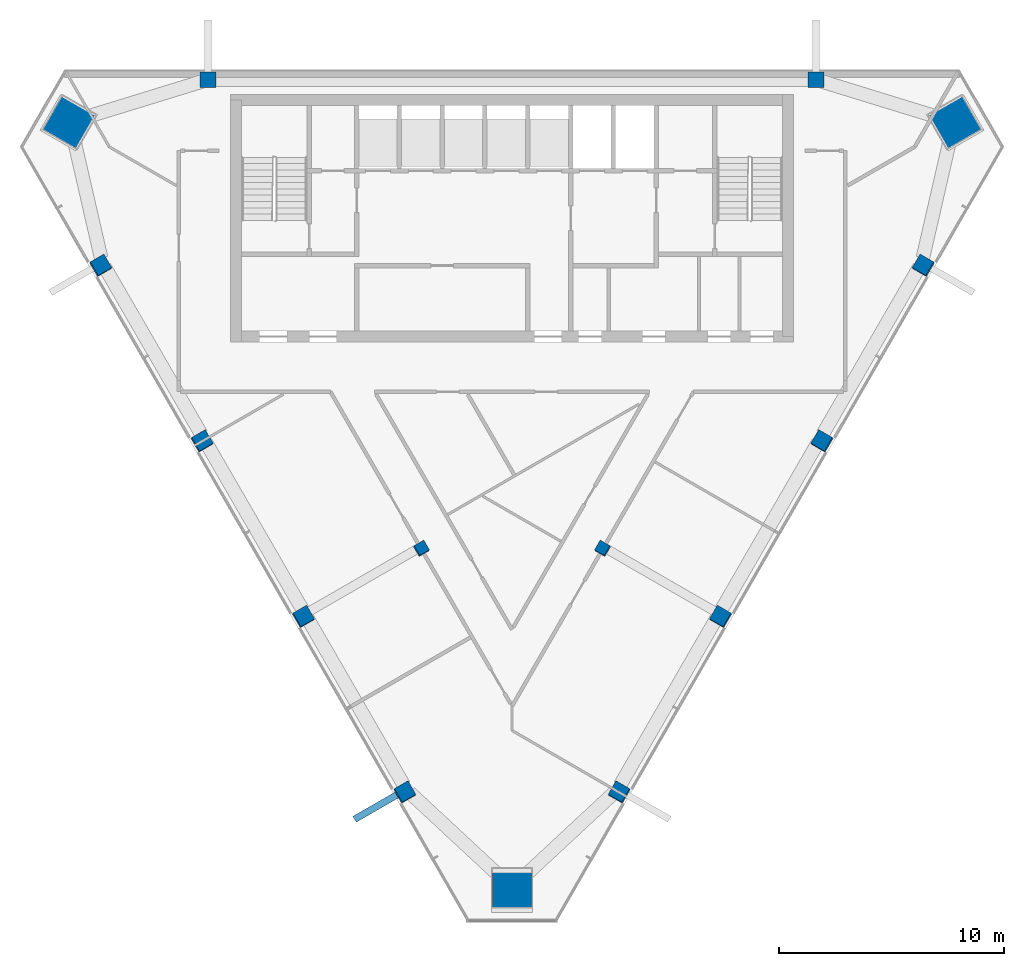
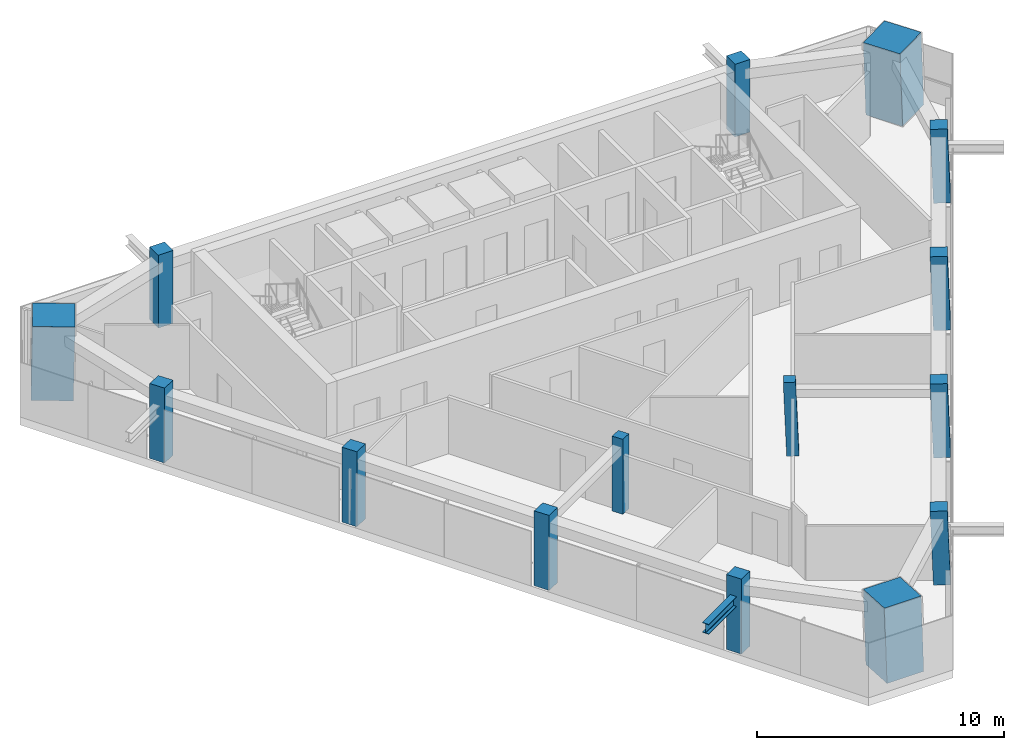
# One storey, part 1 of 9: 15 columns, 1 member.
"""IFC4 building model written with IfcOpenShell, lengths in metres."""

from ifc_helpers import new_model, si_unit, direction, frame, origin, origin_2d, place, context, subcontext, project, spatial, rectangle, i_section, extrude, material, material_profile, profile_set, type_object, element, save


model = new_model("IFC4")

# Units and contexts
model_context = context("Model", 3, precision=1e-05, world=origin(), true_north=direction((0.0, 1.0)))
body_context = subcontext(model_context, "Body", "Model", "MODEL_VIEW")
ifc_project = project(units=[si_unit("LENGTHUNIT", "METRE"), si_unit("AREAUNIT", "SQUARE_METRE"), si_unit("VOLUMEUNIT", "CUBIC_METRE"), si_unit("PLANEANGLEUNIT", "RADIAN"), si_unit("MASSUNIT", "GRAM", prefix="KILO")], contexts=[model_context])

# Site, building, storey
site_placement = place(None, origin())
site = spatial("IfcSite", under=ifc_project, at=site_placement, CompositionType="ELEMENT")
building_placement = place(site_placement, origin())
building = spatial("IfcBuilding", under=site, at=building_placement, Name="Altiplano Prism Tower", CompositionType="ELEMENT")
storey_placement = place(building_placement, frame((0.0, 0.0, 309.39990234375)))
storey = spatial("IfcBuildingStorey", under=building, at=storey_placement, Name="L80", CompositionType="ELEMENT", Elevation=309.39990234375)

# Columns
ifc_material_1 = material(Name="Concrete C60/75", Category="concrete")
ifc_material_profile_1 = material_profile(ifc_material_1, rectangle(XDim=0.5, YDim=0.5, at=origin_2d()), Name="Inner column 500")
ifc_profile_set_1 = profile_set([ifc_material_profile_1], Name="Concrete C60/75")
column_type_1 = type_object("IfcColumnType", Name="Inner column 500", PredefinedType="COLUMN", material=ifc_profile_set_1)
for number, where, z_axis, x_axis, name in (
    (1, (80.967041015625, 83.720458984375, -0.01513671875), (0.02222134892, 0.038480872521, 0.999012229206), (-0.86564209878, -0.499182168802, 0.038482712619), "Inner column I13 L80"),
    (2, (89.032958984375, 83.720458984375, -0.01513671875), (-0.02222134892, 0.038480872521, 0.999012229206), (-0.500174592943, -0.865639497158, 0.022217955235), "Inner column I22 L80"),
):
    element("IfcColumn", number, at=place(storey_placement, frame(where, z_axis=z_axis, x_axis=x_axis)), inside=storey, type_object=column_type_1, Name=name, PredefinedType="COLUMN", context=body_context, shape_type="SweptSolid", body=[
        extrude(rectangle(XDim=0.5, YDim=0.5, at=origin_2d()), origin(), (0.0, 0.0, 1.0), 3.603759765625),
    ])
ifc_material_2 = material(Name="Concrete C70/85", Category="concrete")
ifc_material_profile_2 = material_profile(ifc_material_2, rectangle(XDim=1.719970703125, YDim=1.719970703125, at=origin_2d()), Name="Mega column infill 1800")
ifc_profile_set_2 = profile_set([ifc_material_profile_2], Name="Concrete C70/85")
column_type_2 = type_object("IfcColumnType", Name="Mega column infill 1800", PredefinedType="COLUMN", material=ifc_profile_set_2)
column_1_placement = place(storey_placement, frame((65.27392578125, 102.63427734375, 0.0), z_axis=(0.028334066552, 0.009286524205, 0.999555371723), x_axis=(-0.866555694563, 0.498682251632, 0.019930883755)))
element("IfcColumn", 3, at=column_1_placement, inside=storey, type_object=column_type_2, Name="Mega column M0 L80", PredefinedType="COLUMN", context=body_context, shape_type="SweptSolid", body=[
    extrude(rectangle(XDim=1.719970703125, YDim=1.719970703125, at=origin_2d()), origin(), (0.0, 0.0, 1.0), 3.601806640625),
])
column_2_placement = place(storey_placement, frame((85.0, 68.467529296875, 0.0), z_axis=(0.0, 0.058356907999, 0.998295783467), x_axis=(-1.0, 0.0, 0.0)))
element("IfcColumn", 4, at=column_2_placement, inside=storey, type_object=column_type_2, Name="Mega column M1 L80", PredefinedType="COLUMN", context=body_context, shape_type="SweptSolid", body=[
    extrude(rectangle(XDim=1.719970703125, YDim=1.719970703125, at=origin_2d()), origin(), (0.0, 0.0, 1.0), 3.606201171875),
])
column_3_placement = place(storey_placement, frame((104.72607421875, 102.63427734375, 0.0), z_axis=(-0.028334066552, 0.009286524205, 0.999555371723), x_axis=(0.498275434767, -0.866735122385, 0.022176986539)))
element("IfcColumn", 5, at=column_3_placement, inside=storey, type_object=column_type_2, Name="Mega column M2 L80", PredefinedType="COLUMN", context=body_context, shape_type="SweptSolid", body=[
    extrude(rectangle(XDim=1.719970703125, YDim=1.719970703125, at=origin_2d()), origin(), (0.0, 0.0, 1.0), 3.601806640625),
])
ifc_material_profile_3 = material_profile(ifc_material_1, rectangle(XDim=0.699951171875, YDim=0.699951171875, at=origin_2d()), Name="Perimeter column 700")
ifc_profile_set_3 = profile_set([ifc_material_profile_3], Name="Concrete C60/75")
column_type_3 = type_object("IfcColumnType", Name="Perimeter column 700", PredefinedType="COLUMN", material=ifc_profile_set_3)
for number, where, z_axis, x_axis, name in (
    (6, (98.5, 104.550048828125, 0.0), (0.0, 0.0, 1.0), (1.0, 0.0, 0.0), "Perimeter column P01 L80"),
    (7, (71.5, 104.550048828125, 0.0), (0.0, 0.0, 1.0), (1.0, 0.0, 0.0), "Perimeter column P04 L80"),
):
    element("IfcColumn", number, at=place(storey_placement, frame(where, z_axis=z_axis, x_axis=x_axis)), inside=storey, type_object=column_type_3, Name=name, PredefinedType="COLUMN", context=body_context, shape_type="SweptSolid", body=[
        extrude(rectangle(XDim=0.699951171875, YDim=0.699951171875, at=origin_2d()), origin(), (0.0, 0.0, 1.0), 3.60009765625),
    ])
for number, where, z_axis, x_axis, name in (
    (8, (66.7275390625, 96.28369140625, -0.021240234375), (0.022153634206, 0.038480930364, 0.999013730882), (-0.864982397443, -0.500326676419, 0.038453465087), "Perimeter column P11 L80"),
    (9, (71.2275390625, 88.489501953125, -0.021240234375), (0.02215369191, 0.038413282303, 0.999016333038), (-0.865364661836, -0.499669122996, 0.038402728683), "Perimeter column P12 L80"),
    (10, (75.7275390625, 80.6953125, -0.021240234375), (0.02215369191, 0.038413282303, 0.999016333038), (-0.865364670574, -0.499669107893, 0.038402728296), "Perimeter column P13 L80"),
    (11, (80.2275390625, 72.901123046875, -0.021240234375), (0.02215369191, 0.038413282303, 0.999016333038), (-0.865362005459, -0.499673714439, 0.038402846323), "Perimeter column P14 L80"),
    (12, (89.7724609375, 72.901123046875, -0.021240234375), (-0.02215369191, 0.038413282303, 0.999016333038), (-0.500657381292, -0.865361542271, 0.022171777484), "Perimeter column P21 L80"),
    (13, (94.2724609375, 80.6953125, -0.021240234375), (-0.02215369191, 0.038413282303, 0.999016333038), (-0.500657396395, -0.86536153355, 0.022171776814), "Perimeter column P22 L80"),
    (14, (98.7724609375, 88.489501953125, -0.021240234375), (-0.02215369191, 0.038413282303, 0.999016333038), (-0.500652789846, -0.865364193428, 0.022171981242), "Perimeter column P23 L80"),
    (15, (103.2724609375, 96.28369140625, -0.021240234375), (-0.022153634206, 0.038480930364, 0.999013730882), (-0.501312944781, -0.864981176016, 0.022201273229), "Perimeter column P24 L80"),
):
    element("IfcColumn", number, at=place(storey_placement, frame(where, z_axis=z_axis, x_axis=x_axis)), inside=storey, type_object=column_type_3, Name=name, PredefinedType="COLUMN", context=body_context, shape_type="SweptSolid", body=[
        extrude(rectangle(XDim=0.699951171875, YDim=0.699951171875, at=origin_2d()), origin(), (0.0, 0.0, 1.0), 3.603759765625),
    ])

# Member
ifc_material_3 = material(Name="Steel S355", Category="steel")
ifc_material_profile_4 = material_profile(ifc_material_3, i_section(OverallWidth=0.300048828125, OverallDepth=0.5, WebThickness=0.014404296875, FlangeThickness=0.028076171875, FilletRadius=0.027099609375, at=origin_2d()), Name="Brace bracket HEB 500")
ifc_profile_set_4 = profile_set([ifc_material_profile_4], Name="Steel S355")
member_type = type_object("IfcMemberType", Name="Brace bracket HEB 500", PredefinedType="STRUT", material=ifc_profile_set_4)
member_placement = place(storey_placement, frame((80.307861328125, 73.040283203125, 2.433837890625), z_axis=(-0.866029095148, -0.499993606316, 0.0), x_axis=(0.499993606316, -0.866029095148, 0.0)))
element("IfcMember", 16, at=member_placement, inside=storey, type_object=member_type, Name="Brace bracket 1.313", PredefinedType="STRUT", context=body_context, shape_type="SweptSolid", body=[
    extrude(i_section(OverallWidth=0.300048828125, OverallDepth=0.5, WebThickness=0.014404296875, FlangeThickness=0.028076171875, FilletRadius=0.027099609375, at=origin_2d()), origin(), (0.0, 0.0, 1.0), 2.64990234375),
])

save(model, "model.ifc")
